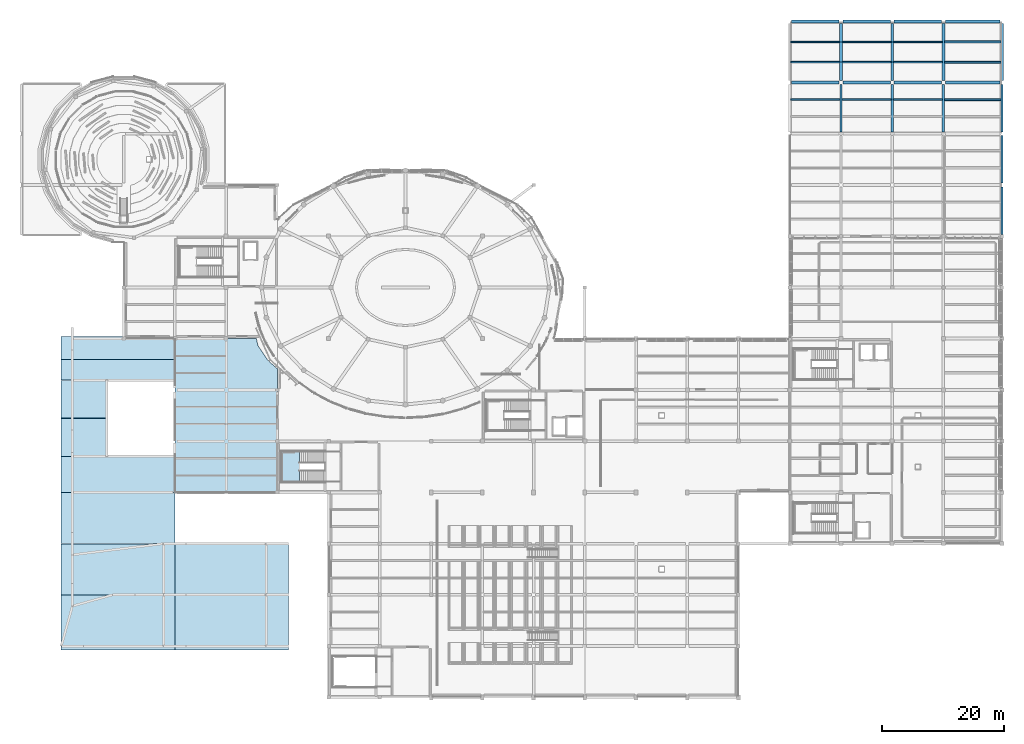
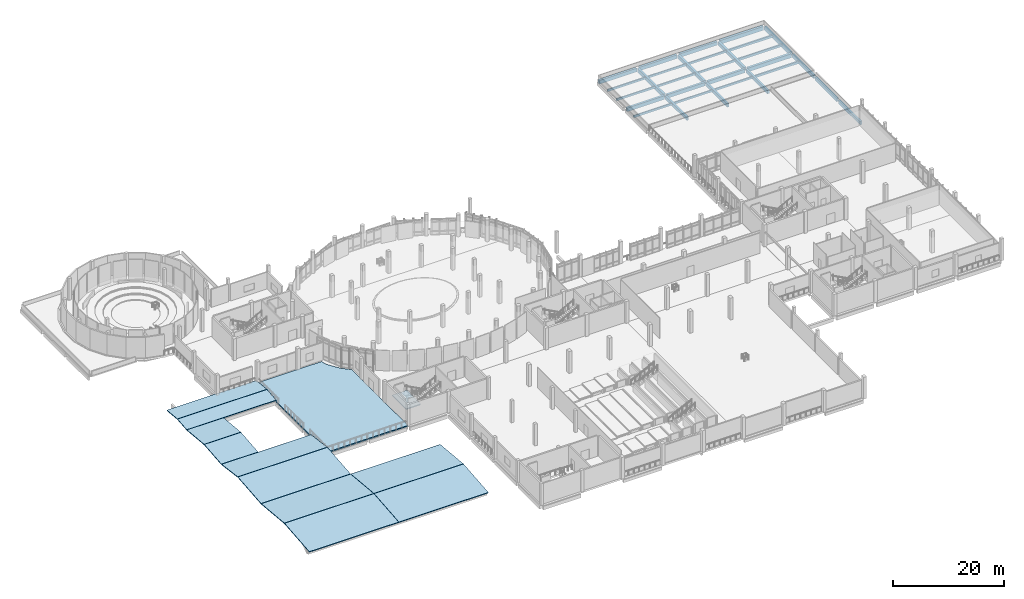
# One storey, part 31 of 63: 30 beams, 12 slabs, 1 element without a shape of its own.
"""IFC4 building model written with IfcOpenShell, lengths in metres."""

import ifcopenshell
import ifcopenshell.guid

model = None  # the IFC model being written
_history = None  # IfcOwnerHistory: only IFC2X3 demands one
_inside = {}  # id of a spatial element -> (the spatial element, [elements in it])
_under = {}  # id of a project, library or spatial element -> (it, [spatial elements below it])
_declared = {}  # id of a project -> (the project, [libraries it declares])
_typed = {}  # id of a type object -> (the type object, [elements of that type])
_made_of = {}  # id of a material, layer set ... -> (it, [elements and type objects made of it])


def new_model(schema):
    """Start an empty IFC model of exactly this schema.

    Asked for "IFC4X3", IfcOpenShell would pick the latest addendum, in which some entities
    have other attributes; the version numbers below select the first issue.
    IFC2X3 requires an IfcOwnerHistory on every rooted entity: one is made here for all.
    """
    global model, _history
    if schema == "IFC4X3":
        model = ifcopenshell.file(schema_version=(4, 3, 0, 0))
    else:
        model = ifcopenshell.file(schema=schema)
    _inside.clear()
    _under.clear()
    _declared.clear()
    _typed.clear()
    _made_of.clear()
    _history = None
    if model.schema == "IFC2X3":
        org = make("IfcOrganization", Name="unknown")
        user = make(
            "IfcPersonAndOrganization",
            ThePerson=make("IfcPerson", FamilyName="unknown"),
            TheOrganization=org,
        )
        app = make(
            "IfcApplication",
            ApplicationDeveloper=org,
            Version="unknown",
            ApplicationFullName="unknown",
            ApplicationIdentifier="unknown",
        )
        _history = make(
            "IfcOwnerHistory",
            OwningUser=user,
            OwningApplication=app,
            ChangeAction="ADDED",
            CreationDate=0,
        )
    return model


def make(cls, **values):
    """One entity of the class cls with the attributes given. An attribute that is None is left unset."""
    return model.create_entity(
        cls, **{name: value for name, value in values.items() if value is not None}
    )


def rooted(cls, **values):
    """An entity with a GlobalId (a new one), such as an element, a storey or a relation."""
    return make(cls, GlobalId=ifcopenshell.guid.new(), OwnerHistory=_history, **values)


def si_unit(unit_type, name, prefix=None):
    """IfcSIUnit, for example si_unit("LENGTHUNIT", "METRE", prefix="MILLI")."""
    return make("IfcSIUnit", UnitType=unit_type, Prefix=prefix, Name=name)


def derived_unit(unit_type, elements):
    """IfcDerivedUnit: a product of units, each with its exponent."""
    return make(
        "IfcDerivedUnit",
        Elements=[
            make("IfcDerivedUnitElement", Unit=unit, Exponent=power)
            for unit, power in elements
        ],
        UnitType=unit_type,
    )


def assignment(units):
    """IfcUnitAssignment: the units of a project."""
    return None if units is None else make("IfcUnitAssignment", Units=units)


def point(xyz):
    """IfcCartesianPoint."""
    return None if xyz is None else make("IfcCartesianPoint", Coordinates=xyz)


def direction(xyz):
    """IfcDirection."""
    return None if xyz is None else make("IfcDirection", DirectionRatios=xyz)


def frame(location, z_axis=None, x_axis=None):
    """IfcAxis2Placement3D, a coordinate frame: its origin and axes. An axis left out is left unset."""
    return make(
        "IfcAxis2Placement3D",
        Location=point(location),
        Axis=direction(z_axis),
        RefDirection=direction(x_axis),
    )


def frame_2d(location, x_axis=None):
    """IfcAxis2Placement2D, a coordinate frame in the plane: its origin and x axis."""
    return make(
        "IfcAxis2Placement2D", Location=point(location), RefDirection=direction(x_axis)
    )


def origin():
    """The frame at (0, 0, 0) with its axes left unset."""
    return frame((0.0, 0.0, 0.0))


def origin_2d():
    """The frame at (0, 0) in the plane with its x axis left unset."""
    return frame_2d((0.0, 0.0))


def place(relative_to, where):
    """IfcLocalPlacement: puts the frame where relative to a parent placement (None: the world)."""
    return make(
        "IfcLocalPlacement", PlacementRelTo=relative_to, RelativePlacement=where
    )


def context(
    kind, dimensions, precision=None, world=None, true_north=None, identifier=None
):
    """IfcGeometricRepresentationContext, for example the 3D "Model" context."""
    return make(
        "IfcGeometricRepresentationContext",
        ContextIdentifier=identifier,
        ContextType=kind,
        CoordinateSpaceDimension=dimensions,
        Precision=precision,
        WorldCoordinateSystem=world,
        TrueNorth=true_north,
    )


def subcontext(parent, identifier, kind, view, scale=None):
    """IfcGeometricRepresentationSubContext, for example "Body" below "Model"."""
    return make(
        "IfcGeometricRepresentationSubContext",
        ContextIdentifier=identifier,
        ContextType=kind,
        ParentContext=parent,
        TargetScale=scale,
        TargetView=view,
    )


def project(units=None, contexts=None):
    """IfcProject with its units and contexts."""
    return rooted(
        "IfcProject",
        Name="project",
        RepresentationContexts=contexts,
        UnitsInContext=assignment(units),
    )


def spatial(cls, under=None, at=None, **own):
    """A site, building, storey or space (cls), placed at a placement, below another one or the project."""
    s = rooted(cls, ObjectPlacement=at, **own)
    if under is not None:
        _under.setdefault(under.id(), (under, []))[1].append(s)
    return s


def polyline(points):
    """IfcPolyline through the points."""
    return make("IfcPolyline", Points=[point(p) for p in points])


def profile(cls, at=None, kind="AREA", **sizes):
    """A parametric profile (cls). Its sizes go by their IFC names, for example OverallWidth=200.0."""
    return make(cls, ProfileType=kind, Position=at, **sizes)


def rectangle(**sizes):
    """IfcRectangleProfileDef."""
    return profile("IfcRectangleProfileDef", **sizes)


def outline(outer, holes=None, kind="AREA"):
    """IfcArbitraryClosedProfileDef: a profile drawn as a closed curve; with holes, ...WithVoids."""
    if holes is None:
        return make("IfcArbitraryClosedProfileDef", ProfileType=kind, OuterCurve=outer)
    return make(
        "IfcArbitraryProfileDefWithVoids",
        ProfileType=kind,
        OuterCurve=outer,
        InnerCurves=holes,
    )


def extrude(swept, where, along, depth):
    """IfcExtrudedAreaSolid: the profile swept, set in the frame where, extruded along a direction by depth."""
    return make(
        "IfcExtrudedAreaSolid",
        SweptArea=swept,
        Position=where,
        ExtrudedDirection=direction(along),
        Depth=depth,
    )


def shape(context_of_items, identifier, shape_type, items):
    """IfcShapeRepresentation: the items that make up one representation, for example the "Body"."""
    return make(
        "IfcShapeRepresentation",
        ContextOfItems=context_of_items,
        RepresentationIdentifier=identifier,
        RepresentationType=shape_type,
        Items=items,
    )


def material(Name=None, Category=None):
    """IfcMaterial."""
    return make("IfcMaterial", Name=Name, Category=Category)


def layer(
    of_material, thickness, ventilated=None, Name=None, Category=None, Priority=None
):
    """IfcMaterialLayer: one layer of a wall or slab, of a material (None: an air gap)."""
    return make(
        "IfcMaterialLayer",
        Material=of_material,
        LayerThickness=thickness,
        IsVentilated=ventilated,
        Name=Name,
        Category=Category,
        Priority=Priority,
    )


def layer_set(layers, Name=None):
    """IfcMaterialLayerSet."""
    return make("IfcMaterialLayerSet", MaterialLayers=layers, LayerSetName=Name)


def material_profile(
    of_material, cross_section, Name=None, Category=None, Priority=None
):
    """IfcMaterialProfile: a cross section and its material."""
    return make(
        "IfcMaterialProfile",
        Name=Name,
        Material=of_material,
        Profile=cross_section,
        Priority=Priority,
        Category=Category,
    )


def profile_set(profiles, Name=None, composite=None):
    """IfcMaterialProfileSet."""
    return make(
        "IfcMaterialProfileSet",
        Name=Name,
        MaterialProfiles=profiles,
        CompositeProfile=composite,
    )


def made_of(thing, what):
    """Note that an element or type object is made of a material, layer set ...; save() writes the relation."""
    if what is not None:
        _made_of.setdefault(what.id(), (what, []))[1].append(thing)
    return thing


def type_object(cls, material=None, **own):
    """A type object (cls), such as IfcWallType, which elements share."""
    return made_of(rooted(cls, **own), material)


def element(
    cls,
    number,
    at=None,
    inside=None,
    cuts=None,
    type_object=None,
    material=None,
    context=None,
    identifier="Body",
    shape_type=None,
    held_by="IfcProductDefinitionShape",
    body=None,
    shapes=None,
    **own,
):
    """One element of the class cls, such as IfcWall. Its Tag is "e" and its number.

    at: its placement. inside: the storey or other place that contains it. cuts: it is an
    opening in that element (IfcRelVoidsElement). A single representation is given by context,
    identifier, shape_type and body (its items); several are given by shapes. held_by: the class
    of the entity that holds the representations. save() writes the other relations.
    """
    e = rooted(cls, Tag="e%d" % number, ObjectPlacement=at, **own)
    if body is not None:
        shapes = [shape(context, identifier, shape_type, body)]
    if shapes is not None:
        e.Representation = make(held_by, Representations=shapes)
    if inside is not None:
        _inside.setdefault(inside.id(), (inside, []))[1].append(e)
    if cuts is not None:
        rooted(
            "IfcRelVoidsElement", RelatingBuildingElement=cuts, RelatedOpeningElement=e
        )
    if type_object is not None:
        _typed.setdefault(type_object.id(), (type_object, []))[1].append(e)
    return made_of(e, material)


def aggregate(whole, parts):
    """IfcRelAggregates: a whole, such as a stair, and the parts it consists of."""
    return rooted("IfcRelAggregates", RelatingObject=whole, RelatedObjects=parts)


def save(model, path):
    """Write the relations noted so far, then the file.

    IfcRelAggregates (storeys below a building ...), IfcRelContainedInSpatialStructure (elements
    in a storey), IfcRelDefinesByType, IfcRelAssociatesMaterial and IfcRelDeclares: one each for
    every whole, place, type object, material and project.
    """
    for whole, parts in _under.values():
        aggregate(whole, parts)
    for where, things in _inside.values():
        rooted(
            "IfcRelContainedInSpatialStructure",
            RelatedElements=things,
            RelatingStructure=where,
        )
    for kind, things in _typed.values():
        rooted("IfcRelDefinesByType", RelatedObjects=things, RelatingType=kind)
    for what, things in _made_of.values():
        rooted("IfcRelAssociatesMaterial", RelatedObjects=things, RelatingMaterial=what)
    for by, libraries in _declared.values():
        rooted("IfcRelDeclares", RelatingContext=by, RelatedDefinitions=libraries)
    model.write(path)


model = new_model("IFC4")

# Units and contexts
model_context = context("Model", 3, precision=1e-05, world=origin(), true_north=direction((0.0, 1.0)))
body_context = subcontext(model_context, "Body", "Model", "MODEL_VIEW")
ifc_project = project(units=[si_unit("LENGTHUNIT", "METRE"), si_unit("AREAUNIT", "SQUARE_METRE"), si_unit("VOLUMEUNIT", "CUBIC_METRE"), si_unit("PLANEANGLEUNIT", "RADIAN"), si_unit("MASSUNIT", "GRAM", prefix="KILO"), derived_unit("THERMALTRANSMITTANCEUNIT", [(si_unit("POWERUNIT", "WATT"), 1), (si_unit("LENGTHUNIT", "METRE"), -2), (si_unit("THERMODYNAMICTEMPERATUREUNIT", "KELVIN"), -1)])], contexts=[model_context])

# Site, building, storey
site_placement = place(None, origin())
site = spatial("IfcSite", under=ifc_project, at=site_placement, CompositionType="ELEMENT")
building_placement = place(site_placement, origin())
building = spatial("IfcBuilding", under=site, at=building_placement, Name="Elbkamm Science Centre", CompositionType="ELEMENT")
storey_placement = place(building_placement, frame((0.0, 0.0, 5.10009765625)))
storey = spatial("IfcBuildingStorey", under=building, at=storey_placement, Name="L01", CompositionType="ELEMENT", Elevation=5.10009765625)

# Beams
ifc_material_1 = material(Name="Concrete C40/50", Category="concrete")
ifc_material_profile_1 = material_profile(ifc_material_1, rectangle(XDim=0.39990234375, YDim=0.75, at=origin_2d()), Name="RC 400x750")
ifc_profile_set_1 = profile_set([ifc_material_profile_1], Name="Concrete C40/50")
beam_type_1 = type_object("IfcBeamType", Name="BM-RC-400x750", PredefinedType="BEAM", material=ifc_profile_set_1)
for number, where, z_axis, x_axis, name in (
    (1, (134.39990234375, 92.699951171875, -0.64501953125), (0.0, 1.0, 0.0), (-1.0, 0.0, 0.0), "L01 Primary Y-Girder 055"),
    (2, (142.800048828125, 92.699951171875, -0.64501953125), (0.0, 1.0, 0.0), (-1.0, 0.0, 0.0), "L01 Primary Y-Girder 061"),
    (3, (151.199951171875, 92.699951171875, -0.64501953125), (0.0, 1.0, 0.0), (-1.0, 0.0, 0.0), "L01 Primary Y-Girder 071"),
    (4, (160.800048828125, 75.89990234375, -0.64501953125), (0.0, 1.0, 0.0), (-1.0, 0.0, 0.0), "L01 Primary Y-Girder 079"),
    (5, (160.800048828125, 84.300048828125, -0.64501953125), (0.0, 1.0, 0.0), (-1.0, 0.0, 0.0), "L01 Primary Y-Girder 080"),
    (6, (160.800048828125, 92.699951171875, -0.64501953125), (0.0, 1.0, 0.0), (-1.0, 0.0, 0.0), "L01 Primary Y-Girder 081"),
):
    element("IfcBeam", number, at=place(storey_placement, frame(where, z_axis=z_axis, x_axis=x_axis)), inside=storey, type_object=beam_type_1, Name=name, PredefinedType="BEAM", context=body_context, shape_type="SweptSolid", body=[
        extrude(rectangle(XDim=0.39990234375, YDim=0.75, at=origin_2d()), origin(), (0.0, 0.0, 1.0), 7.800048828125),
    ])
ifc_material_profile_2 = material_profile(ifc_material_1, rectangle(XDim=0.449951171875, YDim=0.800048828125, at=origin_2d()), Name="RC 450x800")
ifc_profile_set_2 = profile_set([ifc_material_profile_2], Name="Concrete C40/50")
beam_type_2 = type_object("IfcBeamType", Name="BM-RC-450x800", PredefinedType="BEAM", material=ifc_profile_set_2)
beam_1_placement = place(storey_placement, frame((134.699951171875, 100.800048828125, -0.670166015625), z_axis=(1.0, 0.0, 0.0), x_axis=(0.0, 1.0, 0.0)))
element("IfcBeam", 7, at=beam_1_placement, inside=storey, type_object=beam_type_2, Name="L01 Primary X-Girder 087", PredefinedType="BEAM", context=body_context, shape_type="SweptSolid", body=[
    extrude(rectangle(XDim=0.449951171875, YDim=0.800048828125, at=origin_2d()), origin(), (0.0, 0.0, 1.0), 7.800048828125),
])
beam_2_placement = place(storey_placement, frame((143.10009765625, 100.800048828125, -0.670166015625), z_axis=(1.0, 0.0, 0.0), x_axis=(0.0, 1.0, 0.0)))
element("IfcBeam", 8, at=beam_2_placement, inside=storey, type_object=beam_type_2, Name="L01 Primary X-Girder 088", PredefinedType="BEAM", context=body_context, shape_type="SweptSolid", body=[
    extrude(rectangle(XDim=0.449951171875, YDim=0.800048828125, at=origin_2d()), origin(), (0.0, 0.0, 1.0), 7.7998046875),
])
beam_3_placement = place(storey_placement, frame((134.699951171875, 110.800048828125, -0.670166015625), z_axis=(1.0, 0.0, 0.0), x_axis=(0.0, 1.0, 0.0)))
element("IfcBeam", 9, at=beam_3_placement, inside=storey, type_object=beam_type_2, Name="L01 Primary X-Girder 090", PredefinedType="BEAM", context=body_context, shape_type="SweptSolid", body=[
    extrude(rectangle(XDim=0.449951171875, YDim=0.800048828125, at=origin_2d()), origin(), (0.0, 0.0, 1.0), 7.800048828125),
])
beam_4_placement = place(storey_placement, frame((143.10009765625, 110.800048828125, -0.670166015625), z_axis=(1.0, 0.0, 0.0), x_axis=(0.0, 1.0, 0.0)))
element("IfcBeam", 10, at=beam_4_placement, inside=storey, type_object=beam_type_2, Name="L01 Primary X-Girder 091", PredefinedType="BEAM", context=body_context, shape_type="SweptSolid", body=[
    extrude(rectangle(XDim=0.449951171875, YDim=0.800048828125, at=origin_2d()), origin(), (0.0, 0.0, 1.0), 7.7998046875),
])
for number, where, z_axis, x_axis, name in (
    (11, (134.39990234375, 101.10009765625, -0.670166015625), (0.0, 1.0, 0.0), (-1.0, 0.0, 0.0), "L01 Primary Y-Girder 056"),
    (12, (142.800048828125, 101.10009765625, -0.670166015625), (0.0, 1.0, 0.0), (-1.0, 0.0, 0.0), "L01 Primary Y-Girder 062"),
    (13, (151.199951171875, 101.10009765625, -0.670166015625), (0.0, 1.0, 0.0), (-1.0, 0.0, 0.0), "L01 Primary Y-Girder 072"),
    (14, (160.800048828125, 101.10009765625, -0.670166015625), (0.0, 1.0, 0.0), (-1.0, 0.0, 0.0), "L01 Primary Y-Girder 082"),
):
    element("IfcBeam", number, at=place(storey_placement, frame(where, z_axis=z_axis, x_axis=x_axis)), inside=storey, type_object=beam_type_2, Name=name, PredefinedType="BEAM", context=body_context, shape_type="SweptSolid", body=[
        extrude(rectangle(XDim=0.449951171875, YDim=0.800048828125, at=origin_2d()), origin(), (0.0, 0.0, 1.0), 9.39990234375),
    ])
for number, where, z_axis, x_axis, name in (
    (15, (126.300048828125, 100.800048828125, -0.670166015625), (1.0, 0.0, 0.0), (0.0, 1.0, 0.0), "L01 Step-Back Primary X-Girder 003"),
    (16, (126.300048828125, 110.800048828125, -0.670166015625), (1.0, 0.0, 0.0), (0.0, 1.0, 0.0), "L01 Step-Back Primary X-Girder 004"),
):
    element("IfcBeam", number, at=place(storey_placement, frame(where, z_axis=z_axis, x_axis=x_axis)), inside=storey, type_object=beam_type_2, Name=name, PredefinedType="BEAM", context=body_context, shape_type="SweptSolid", body=[
        extrude(rectangle(XDim=0.449951171875, YDim=0.800048828125, at=origin_2d()), origin(), (0.0, 0.0, 1.0), 7.800048828125),
    ])
ifc_material_profile_3 = material_profile(ifc_material_1, rectangle(XDim=0.5, YDim=0.85009765625, at=origin_2d()), Name="RC 500x850")
ifc_profile_set_3 = profile_set([ifc_material_profile_3], Name="Concrete C40/50")
beam_type_3 = type_object("IfcBeamType", Name="BM-RC-500x850", PredefinedType="BEAM", material=ifc_profile_set_3)
for number, where, z_axis, x_axis, name in (
    (17, (151.5, 100.800048828125, -0.695068359375), (1.0, 0.0, 0.0), (0.0, 1.0, 0.0), "L01 Primary X-Girder 089"),
    (18, (151.5, 110.800048828125, -0.695068359375), (1.0, 0.0, 0.0), (0.0, 1.0, 0.0), "L01 Primary X-Girder 092"),
):
    element("IfcBeam", number, at=place(storey_placement, frame(where, z_axis=z_axis, x_axis=x_axis)), inside=storey, type_object=beam_type_3, Name=name, PredefinedType="BEAM", context=body_context, shape_type="SweptSolid", body=[
        extrude(rectangle(XDim=0.5, YDim=0.85009765625, at=origin_2d()), origin(), (0.0, 0.0, 1.0), 9.0),
    ])
ifc_material_profile_4 = material_profile(ifc_material_1, rectangle(XDim=0.25, YDim=0.449951171875, at=origin_2d()), Name="RC 250x450")
ifc_profile_set_4 = profile_set([ifc_material_profile_4], Name="Concrete C40/50")
beam_type_4 = type_object("IfcBeamType", Name="JST-RC-250x450", PredefinedType="JOIST", material=ifc_profile_set_4)
for number, where, z_axis, x_axis, name in (
    (19, (126.179931640625, 98.0, -0.4951171875), (1.0, 0.0, 0.0), (0.0, 1.0, 0.0), "L01 Step-Back Secondary Floor Joist 002"),
    (20, (126.179931640625, 104.13330078125, -0.4951171875), (1.0, 0.0, 0.0), (0.0, 1.0, 0.0), "L01 Step-Back Secondary Floor Joist 003"),
    (21, (126.179931640625, 107.466796875, -0.4951171875), (1.0, 0.0, 0.0), (0.0, 1.0, 0.0), "L01 Step-Back Secondary Floor Joist 004"),
    (22, (134.580078125, 98.0, -0.4951171875), (1.0, 0.0, 0.0), (0.0, 1.0, 0.0), "L01 Step-Back Secondary Floor Joist 006"),
    (23, (134.580078125, 104.13330078125, -0.4951171875), (1.0, 0.0, 0.0), (0.0, 1.0, 0.0), "L01 Step-Back Secondary Floor Joist 007"),
    (24, (134.580078125, 107.466796875, -0.4951171875), (1.0, 0.0, 0.0), (0.0, 1.0, 0.0), "L01 Step-Back Secondary Floor Joist 008"),
    (25, (142.97998046875, 98.0, -0.4951171875), (1.0, 0.0, 0.0), (0.0, 1.0, 0.0), "L01 Step-Back Secondary Floor Joist 010"),
    (26, (142.97998046875, 104.13330078125, -0.4951171875), (1.0, 0.0, 0.0), (0.0, 1.0, 0.0), "L01 Step-Back Secondary Floor Joist 011"),
    (27, (142.97998046875, 107.466796875, -0.4951171875), (1.0, 0.0, 0.0), (0.0, 1.0, 0.0), "L01 Step-Back Secondary Floor Joist 012"),
):
    element("IfcBeam", number, at=place(storey_placement, frame(where, z_axis=z_axis, x_axis=x_axis)), inside=storey, type_object=beam_type_4, Name=name, PredefinedType="JOIST", context=body_context, shape_type="SweptSolid", body=[
        extrude(rectangle(XDim=0.25, YDim=0.449951171875, at=origin_2d()), origin(), (0.0, 0.0, 1.0), 8.0400390625),
    ])
ifc_material_profile_5 = material_profile(ifc_material_1, rectangle(XDim=0.300048828125, YDim=0.5, at=origin_2d()), Name="RC 300x500")
ifc_profile_set_5 = profile_set([ifc_material_profile_5], Name="Concrete C40/50")
beam_type_5 = type_object("IfcBeamType", Name="JST-RC-300x500", PredefinedType="JOIST", material=ifc_profile_set_5)
for number, where, z_axis, x_axis, name in (
    (28, (151.3798828125, 98.0, -0.52001953125), (1.0, 0.0, 0.0), (0.0, 1.0, 0.0), "L01 Step-Back Secondary Floor Joist 018"),
    (29, (151.3798828125, 104.13330078125, -0.52001953125), (1.0, 0.0, 0.0), (0.0, 1.0, 0.0), "L01 Step-Back Secondary Floor Joist 019"),
    (30, (151.3798828125, 107.466796875, -0.52001953125), (1.0, 0.0, 0.0), (0.0, 1.0, 0.0), "L01 Step-Back Secondary Floor Joist 020"),
):
    element("IfcBeam", number, at=place(storey_placement, frame(where, z_axis=z_axis, x_axis=x_axis)), inside=storey, type_object=beam_type_5, Name=name, PredefinedType="JOIST", context=body_context, shape_type="SweptSolid", body=[
        extrude(rectangle(XDim=0.300048828125, YDim=0.5, at=origin_2d()), origin(), (0.0, 0.0, 1.0), 9.240234375),
    ])

# Slab
ifc_material_2 = material(Name="Exposed freeze-thaw concrete C40/50", Category="concrete")
ifc_layer_1 = layer(ifc_material_2, 0.25)
ifc_layer_set_1 = layer_set([ifc_layer_1], Name="Exposed freeze-thaw concrete C40/50")
slab_type_1 = type_object("IfcSlabType", Name="SLAB-DECK-250", PredefinedType="FLOOR", material=ifc_layer_set_1)
slab_1_placement = place(storey_placement, frame((0.0, 0.0, -0.25)))
element("IfcSlab", 31, at=slab_1_placement, inside=storey, type_object=slab_type_1, Name="Warft Forecourt Plinth Terrace", PredefinedType="FLOOR", context=body_context, shape_type="SweptSolid", body=[
    extrude(outline(polyline([(25.199951171875, 58.794921875), (38.553466796875, 58.794921875), (38.834716796875, 57.628173828125), (38.8349609375, 57.627685546875), (38.8349609375, 57.627197265625), (38.835205078125, 57.626953125), (38.83544921875, 57.62646484375), (40.48779296875, 55.2021484375), (40.488037109375, 55.201904296875), (40.48828125, 55.201416015625), (40.48876953125, 55.201171875), (41.9951171875, 53.87548828125), (41.9951171875, 33.60009765625), (25.199951171875, 33.60009765625), (25.199951171875, 58.794921875)])), origin(), (0.0, 0.0, 1.0), 0.25),
])

# Stair, slab
ifc_material_3 = material(Name="Reinforced concrete C40/50", Category="concrete")
stair_type = type_object("IfcStairType", Name="ST-TWO-28R-192", PredefinedType="USERDEFINED", material=ifc_material_3)
stair_placement = place(storey_placement, origin())
stair = element("IfcStair", 32, at=stair_placement, inside=storey, type_object=stair_type, Name="L01 Core C5 Southwest Plinth Assembly Egress Core Escape Stair", ObjectType="TWO_RETURN_STAIR", PredefinedType="USERDEFINED")
ifc_layer_2 = layer(ifc_material_3, 0.199951171875)
ifc_layer_set_2 = layer_set([ifc_layer_2], Name="Reinforced concrete C40/50")
slab_type_2 = type_object("IfcSlabType", Name="SLAB-LAND-200", PredefinedType="LANDING", material=ifc_layer_set_2)
slab_2_placement = place(storey_placement, frame((0.0, 0.0, 2.199951171875)))
slab_2 = element("IfcSlab", 33, at=slab_2_placement, type_object=slab_type_2, Name="ST-C5 landing 1", PredefinedType="LANDING", context=body_context, shape_type="SweptSolid", body=[
    extrude(outline(polyline([(45.6201171875, 40.320068359375), (42.60009765625, 40.320068359375), (42.60009765625, 35.280029296875), (45.6201171875, 35.280029296875), (45.6201171875, 40.320068359375)])), origin(), (0.0, 0.0, 1.0), 0.199951171875),
])
aggregate(stair, [slab_2])

# Slabs
ifc_material_4 = material(Name="White architectural concrete C45/55", Category="concrete")
ifc_layer_3 = layer(ifc_material_4, 0.159912109375)
ifc_layer_set_3 = layer_set([ifc_layer_3], Name="White architectural concrete C45/55")
slab_type_3 = type_object("IfcSlabType", Name="SLAB-MARQ-160", PredefinedType="ROOF", material=ifc_layer_set_3)
slab_3_placement = place(storey_placement, frame((6.550048828125, 7.800048828125, 0.22998046875), z_axis=(0.0, -0.092017275813, 0.995757410694), x_axis=(1.0, 0.0, 0.0)))
element("IfcSlab", 34, at=slab_3_placement, inside=storey, type_object=slab_type_3, Name="Boulevard Marquise Undulating Canopy Facet 01", PredefinedType="ROOF", context=body_context, shape_type="SweptSolid", body=[
    extrude(outline(polyline([(0.0, 0.0), (18.639892578125, 0.0), (18.639892578125, 9.018241162264133), (0.0, 9.018241162264133), (0.0, 0.0)])), origin(), (0.0, 0.0, -1.0), 0.159912109375),
])
slab_4_placement = place(storey_placement, frame((25.2099609375, 7.800048828125, 0.22998046875), z_axis=(0.0, -0.092017275813, 0.995757410694), x_axis=(1.0, 0.0, 0.0)))
element("IfcSlab", 35, at=slab_4_placement, inside=storey, type_object=slab_type_3, Name="Boulevard Marquise Undulating Canopy Facet 02", PredefinedType="ROOF", context=body_context, shape_type="SweptSolid", body=[
    extrude(outline(polyline([(0.0, 0.0), (18.64013671875, 0.0), (18.64013671875, 9.018241162264136), (0.0, 9.018241162264136), (0.0, 0.0)])), origin(), (0.0, 0.0, -1.0), 0.159912109375),
])
slab_5_placement = place(storey_placement, frame((6.550048828125, 16.820068359375, 1.059814453125), z_axis=(0.0, 0.092902931199, 0.995675170613), x_axis=(1.0, 0.0, 0.0)))
element("IfcSlab", 36, at=slab_5_placement, inside=storey, type_object=slab_type_3, Name="Boulevard Marquise Undulating Canopy Facet 03", PredefinedType="ROOF", context=body_context, shape_type="SweptSolid", body=[
    extrude(outline(polyline([(0.0, 0.0), (18.639892578125, 0.0), (18.639892578125, 8.396175306958241), (0.0, 8.396175306958241), (0.0, 0.0)])), origin(), (0.0, 0.0, -1.0), 0.159912109375),
])
slab_6_placement = place(storey_placement, frame((25.2099609375, 16.820068359375, 1.059814453125), z_axis=(0.0, 0.092902931199, 0.995675170613), x_axis=(1.0, 0.0, 0.0)))
element("IfcSlab", 37, at=slab_6_placement, inside=storey, type_object=slab_type_3, Name="Boulevard Marquise Undulating Canopy Facet 04", PredefinedType="ROOF", context=body_context, shape_type="SweptSolid", body=[
    extrude(outline(polyline([(0.0, 0.0), (18.64013671875, 0.0), (18.64013671875, 8.396175306958241), (0.0, 8.396175306958241), (0.0, 0.0)])), origin(), (0.0, 0.0, -1.0), 0.159912109375),
])
slab_7_placement = place(storey_placement, frame((6.550048828125, 25.219970703125, 0.27978515625), z_axis=(0.0, -0.092900241565, 0.995675421569), x_axis=(1.0, 0.0, 0.0)))
element("IfcSlab", 38, at=slab_7_placement, inside=storey, type_object=slab_type_3, Name="Boulevard Marquise Undulating Canopy Facet 05", PredefinedType="ROOF", context=body_context, shape_type="SweptSolid", body=[
    extrude(outline(polyline([(0.0, 0.0), (18.64990234375, 0.0), (18.64990234375, 8.396418391747327), (0.0, 8.396418391747327), (0.0, 0.0)])), origin(), (0.0, 0.0, -1.0), 0.159912109375),
])
slab_8_placement = place(storey_placement, frame((6.550048828125, 33.6201171875, 1.059814453125), z_axis=(0.0, 0.1319500087, 0.991256372087), x_axis=(1.0, 0.0, 0.0)))
element("IfcSlab", 39, at=slab_8_placement, inside=storey, type_object=slab_type_3, Name="Boulevard Marquise Undulating Canopy Facet 06", PredefinedType="ROOF", context=body_context, shape_type="SweptSolid", body=[
    extrude(outline(polyline([(0.0, 0.0), (18.64990234375, 0.0), (18.64990234375, 5.911551689609533), (0.0, 5.911551689609533), (0.0, 0.0)])), origin(), (0.0, 0.0, -1.0), 0.159912109375),
])
for number, where, z_axis, x_axis, name in (
    (40, (6.550048828125, 39.52001953125, 0.27978515625), (0.0, -0.09300602832, 0.995665545601), (1.0, 0.0, 0.0), "Boulevard Marquise Undulating Canopy Facet 07"),
    (41, (6.550048828125, 45.77001953125, 0.85986328125), (0.0, 0.09300602832, 0.995665545601), (1.0, 0.0, 0.0), "Boulevard Marquise Undulating Canopy Facet 08"),
):
    element("IfcSlab", number, at=place(storey_placement, frame(where, z_axis=z_axis, x_axis=x_axis)), inside=storey, type_object=slab_type_3, Name=name, PredefinedType="ROOF", context=body_context, shape_type="SweptSolid", body=[
        extrude(outline(polyline([(0.0, 0.0), (7.64990234375, 0.0), (7.64990234375, 6.23699490751591), (0.0, 6.23699490751591), (0.0, 0.0)])), origin(), (0.0, 0.0, -1.0), 0.159912109375),
    ])
slab_9_placement = place(storey_placement, frame((6.550048828125, 52.02001953125, 0.27978515625), z_axis=(0.0, -0.094832987988, 0.995493196556), x_axis=(1.0, 0.0, 0.0)))
element("IfcSlab", 42, at=slab_9_placement, inside=storey, type_object=slab_type_3, Name="Boulevard Marquise Undulating Canopy Facet 09", PredefinedType="ROOF", context=body_context, shape_type="SweptSolid", body=[
    extrude(outline(polyline([(0.0, 0.0), (18.64990234375, 0.0), (18.64990234375, 3.3750740767226164), (0.0, 3.3750740767226164), (0.0, 0.0)])), origin(), (0.0, 0.0, -1.0), 0.159912109375),
])
slab_10_placement = place(storey_placement, frame((6.550048828125, 55.419921875, 0.599853515625), z_axis=(0.0, 0.092159242735, 0.995744281419), x_axis=(1.0, 0.0, 0.0)))
element("IfcSlab", 43, at=slab_10_placement, inside=storey, type_object=slab_type_3, Name="Boulevard Marquise Undulating Canopy Facet 10", PredefinedType="ROOF", context=body_context, shape_type="SweptSolid", body=[
    extrude(outline(polyline([(0.0, 0.0), (18.64990234375, 0.0), (18.64990234375, 3.796184791027497), (0.0, 3.796184791027497), (0.0, 0.0)])), origin(), (0.0, 0.0, -1.0), 0.159912109375),
])

save(model, "model.ifc")
